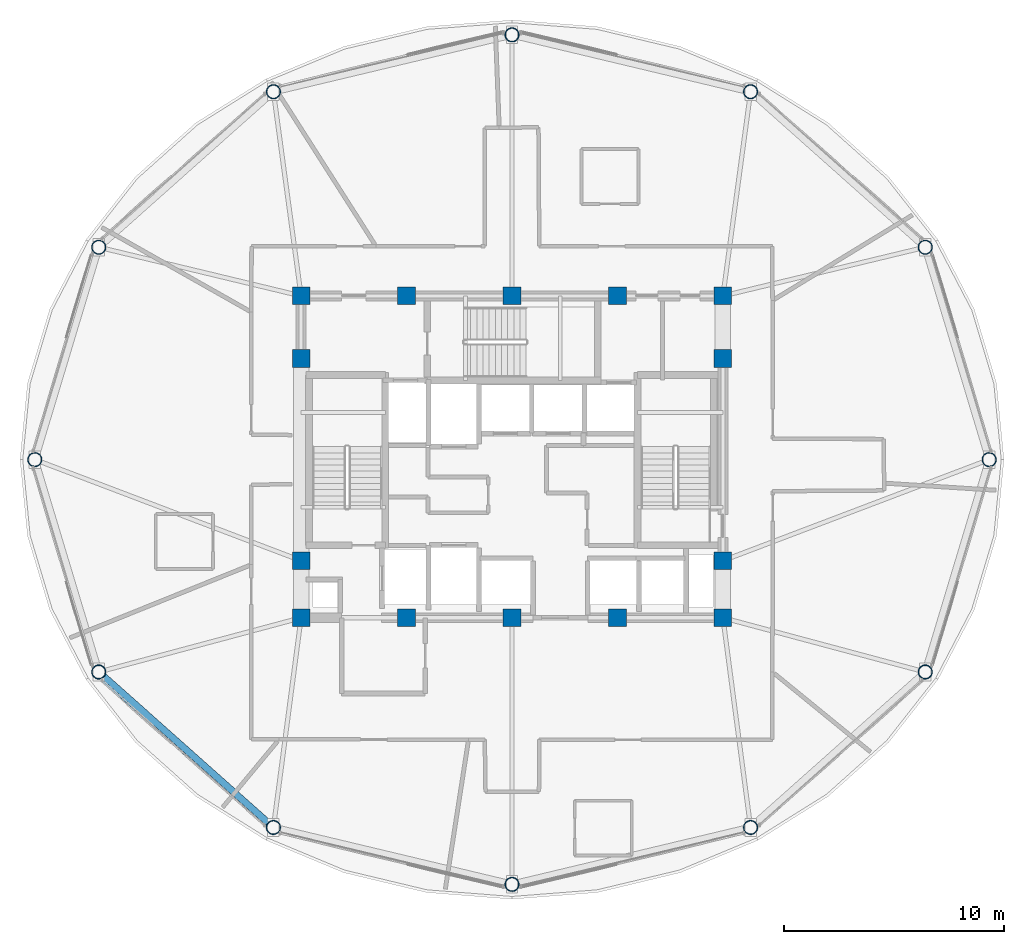
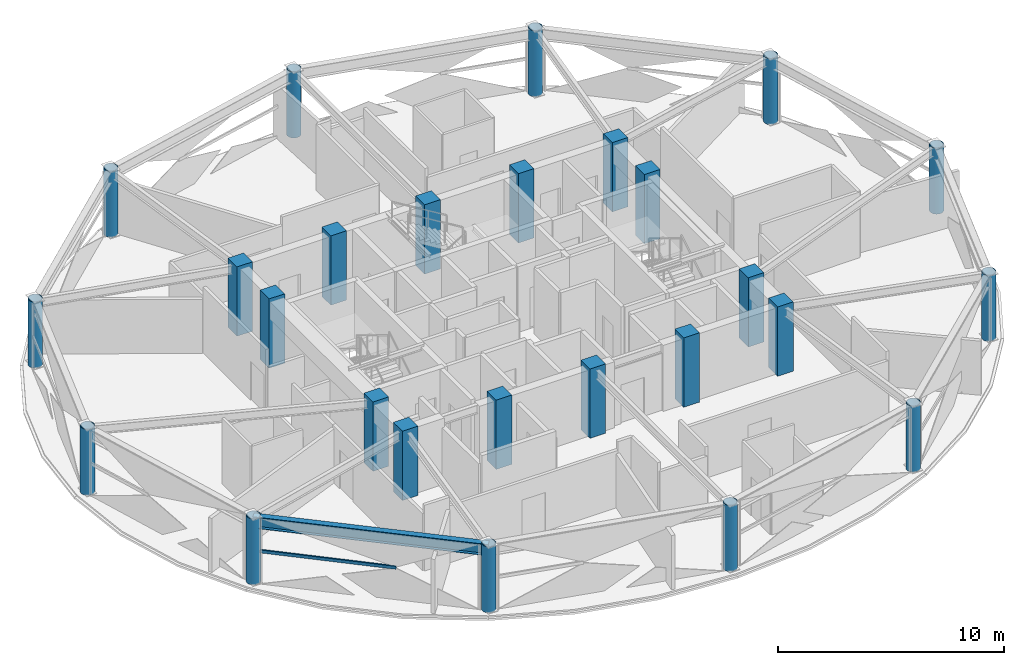
# One storey, part 1 of 28: 26 columns, 1 beam, 1 member, 1 element without a shape of its own.
"""IFC4 building model written with IfcOpenShell, lengths in metres."""

from ifc_helpers import new_model, si_unit, direction, frame, origin, origin_2d, place, context, subcontext, project, spatial, rectangle, hollow_rectangle, hollow_circle, i_section, extrude, material, layer, layer_set, material_profile, profile_set, type_object, element, aggregate, save


model = new_model("IFC4")

# Units and contexts
model_context = context("Model", 3, precision=1e-05, world=origin(), true_north=direction((0.0, 1.0)))
body_context = subcontext(model_context, "Body", "Model", "MODEL_VIEW")
ifc_project = project(units=[si_unit("LENGTHUNIT", "METRE"), si_unit("AREAUNIT", "SQUARE_METRE"), si_unit("VOLUMEUNIT", "CUBIC_METRE"), si_unit("PLANEANGLEUNIT", "RADIAN"), si_unit("MASSUNIT", "GRAM", prefix="KILO")], contexts=[model_context])

# Site, building, storey
site_placement = place(None, origin())
site = spatial("IfcSite", under=ifc_project, at=site_placement, CompositionType="ELEMENT")
building_placement = place(site_placement, origin())
building = spatial("IfcBuilding", under=site, at=building_placement, Name="Vantalir Tower", CompositionType="ELEMENT")
storey_placement = place(building_placement, frame((0.0, 0.0, 246.14990234375)))
storey = spatial("IfcBuildingStorey", under=building, at=storey_placement, Name="L62", CompositionType="ELEMENT", Elevation=246.14990234375)

# Columns
ifc_material_1 = material(Name="Concrete C50/60", Category="concrete")
ifc_material_profile_1 = material_profile(ifc_material_1, rectangle(XDim=0.800048828125, YDim=0.800048828125, at=origin_2d()), Name="Concrete C50/60")
ifc_profile_set_1 = profile_set([ifc_material_profile_1], Name="Concrete C50/60")
column_type_1 = type_object("IfcColumnType", Name="COL-CC-800", PredefinedType="COLUMN", material=ifc_profile_set_1)
for number, where, z_axis, x_axis, name in (
    (1, (21.89990234375, 17.800048828125, 0.0), (0.0, 0.0, 1.0), (1.0, 0.0, 0.0), "L62 Core Column CC01"),
    (2, (26.699951171875, 17.800048828125, 0.0), (0.0, 0.0, 1.0), (1.0, 0.0, 0.0), "L62 Core Column CC02"),
    (3, (31.5, 17.800048828125, 0.0), (0.0, 0.0, 1.0), (1.0, 0.0, 0.0), "L62 Core Column CC03"),
    (4, (36.300048828125, 17.800048828125, 0.0), (0.0, 0.0, 1.0), (1.0, 0.0, 0.0), "L62 Core Column CC04"),
    (5, (41.10009765625, 17.800048828125, 0.0), (0.0, 0.0, 1.0), (1.0, 0.0, 0.0), "L62 Core Column CC05"),
    (6, (21.89990234375, 20.39990234375, 0.0), (0.0, 0.0, 1.0), (1.0, 0.0, 0.0), "L62 Core Column CC06"),
    (7, (21.89990234375, 29.60009765625, 0.0), (0.0, 0.0, 1.0), (1.0, 0.0, 0.0), "L62 Core Column CC07"),
    (8, (41.10009765625, 20.39990234375, 0.0), (0.0, 0.0, 1.0), (1.0, 0.0, 0.0), "L62 Core Column CC08"),
    (9, (41.10009765625, 29.60009765625, 0.0), (0.0, 0.0, 1.0), (1.0, 0.0, 0.0), "L62 Core Column CC09"),
    (10, (21.89990234375, 32.449951171875, 0.0), (0.0, 0.0, 1.0), (1.0, 0.0, 0.0), "L62 Core Column CC10"),
    (11, (26.699951171875, 32.449951171875, 0.0), (0.0, 0.0, 1.0), (1.0, 0.0, 0.0), "L62 Core Column CC11"),
    (12, (31.5, 32.449951171875, 0.0), (0.0, 0.0, 1.0), (1.0, 0.0, 0.0), "L62 Core Column CC12"),
    (13, (36.300048828125, 32.449951171875, 0.0), (0.0, 0.0, 1.0), (1.0, 0.0, 0.0), "L62 Core Column CC13"),
    (14, (41.10009765625, 32.449951171875, 0.0), (0.0, 0.0, 1.0), (1.0, 0.0, 0.0), "L62 Core Column CC14"),
):
    element("IfcColumn", number, at=place(storey_placement, frame(where, z_axis=z_axis, x_axis=x_axis)), inside=storey, type_object=column_type_1, Name=name, PredefinedType="COLUMN", context=body_context, shape_type="SweptSolid", body=[
        extrude(rectangle(XDim=0.800048828125, YDim=0.800048828125, at=origin_2d()), origin(), (0.0, 0.0, 1.0), 3.75),
    ])
ifc_material_2 = material(Name="Steel S460", Category="steel")
ifc_material_profile_2 = material_profile(ifc_material_2, hollow_circle(Radius=0.324951171875, WallThickness=0.030029296875, at=origin_2d()), Name="Steel S460")
ifc_profile_set_2 = profile_set([ifc_material_profile_2], Name="Steel S460")
column_type_2 = type_object("IfcColumnType", Name="COL-RC-650", PredefinedType="COLUMN", material=ifc_profile_set_2)
for number, where, z_axis, x_axis, name in (
    (15, (53.218017578125, 25.0, 0.0), (0.0, 0.0, 1.0), (1.0, 0.0, 0.0), "L62 Perimeter Ring Column RC01"),
    (16, (50.30810546875, 34.666015625, 0.0), (0.0, 0.0, 1.0), (1.0, 0.0, 0.0), "L62 Perimeter Ring Column RC02"),
    (17, (42.35888671875, 41.742919921875, 0.0), (0.0, 0.0, 1.0), (1.0, 0.0, 0.0), "L62 Perimeter Ring Column RC03"),
    (18, (31.5, 44.3330078125, 0.0), (0.0, 0.0, 1.0), (1.0, 0.0, 0.0), "L62 Perimeter Ring Column RC04"),
    (19, (20.64111328125, 41.742919921875, 0.0), (0.0, 0.0, 1.0), (1.0, 0.0, 0.0), "L62 Perimeter Ring Column RC05"),
    (20, (12.69189453125, 34.666015625, 0.0), (0.0, 0.0, 1.0), (1.0, 0.0, 0.0), "L62 Perimeter Ring Column RC06"),
    (21, (9.781982421875, 25.0, 0.0), (0.0, 0.0, 1.0), (1.0, 0.0, 0.0), "L62 Perimeter Ring Column RC07"),
    (22, (12.69189453125, 15.3330078125, 0.0), (0.0, 0.0, 1.0), (1.0, 0.0, 0.0), "L62 Perimeter Ring Column RC08"),
    (23, (20.64111328125, 8.257080078125, 0.0), (0.0, 0.0, 1.0), (1.0, 0.0, 0.0), "L62 Perimeter Ring Column RC09"),
    (24, (31.5, 5.6669921875, 0.0), (0.0, 0.0, 1.0), (1.0, 0.0, 0.0), "L62 Perimeter Ring Column RC10"),
    (25, (42.35888671875, 8.257080078125, 0.0), (0.0, 0.0, 1.0), (1.0, 0.0, 0.0), "L62 Perimeter Ring Column RC11"),
    (26, (50.30810546875, 15.3330078125, 0.0), (0.0, 0.0, 1.0), (1.0, 0.0, 0.0), "L62 Perimeter Ring Column RC12"),
):
    element("IfcColumn", number, at=place(storey_placement, frame(where, z_axis=z_axis, x_axis=x_axis)), inside=storey, type_object=column_type_2, Name=name, PredefinedType="COLUMN", context=body_context, shape_type="SweptSolid", body=[
        extrude(hollow_circle(Radius=0.324951171875, WallThickness=0.030029296875, at=origin_2d()), origin(), (0.0, 0.0, 1.0), 3.570068359375),
    ])

# Beam
ifc_material_profile_3 = material_profile(ifc_material_2, i_section(OverallWidth=0.306884765625, OverallDepth=0.6201171875, WebThickness=0.01416015625, FlangeThickness=0.023681640625, at=origin_2d()), Name="Steel S460")
ifc_profile_set_3 = profile_set([ifc_material_profile_3], Name="Steel S460")
beam_type = type_object("IfcBeamType", Name="BM-RG-610x305", PredefinedType="USERDEFINED", material=ifc_profile_set_3)
beam_placement = place(storey_placement, frame((12.69189453125, 15.3330078125, 3.260009765625), z_axis=(0.746944629215, -0.664886246577, 0.0), x_axis=(0.664886246577, 0.746944629215, 0.0)))
element("IfcBeam", 27, at=beam_placement, inside=storey, type_object=beam_type, Name="L62 Circumferential Ring Girder 08", ObjectType="GIRDER", PredefinedType="USERDEFINED", context=body_context, shape_type="SweptSolid", body=[
    extrude(i_section(OverallWidth=0.306884765625, OverallDepth=0.6201171875, WebThickness=0.01416015625, FlangeThickness=0.023681640625, at=origin_2d()), origin(), (0.0, 0.0, 1.0), 10.642333984375),
])

# Curtain wall, member
ifc_material_3 = material(Name="Champagne-silver PVDF aluminium and double-silver Low-E glass", Category="aluminium")
ifc_layer = layer(ifc_material_3, 0.2099609375)
ifc_layer_set = layer_set([ifc_layer], Name="Champagne-silver PVDF aluminium and double-silver Low-E glass")
curtain_wall_type = type_object("IfcCurtainWallType", Name="CW-DIAMOND-Z3", PredefinedType="USERDEFINED", material=ifc_layer_set)
curtain_wall_placement = place(storey_placement, origin())
curtain_wall = element("IfcCurtainWall", 28, at=curtain_wall_placement, inside=storey, type_object=curtain_wall_type, Name="L62 Quilted Pyramid-Diamond Curtain Wall S08", ObjectType="UNITISED CURTAIN WALL", PredefinedType="USERDEFINED")
ifc_material_4 = material(Name="Champagne-silver PVDF aluminium 6063-T6", Category="aluminium")
ifc_material_profile_4 = material_profile(ifc_material_4, hollow_rectangle(XDim=0.074951171875, YDim=0.159912109375, WallThickness=0.00390625, at=origin_2d()), Name="Champagne-silver PVDF aluminium 6063-T6")
ifc_profile_set_4 = profile_set([ifc_material_profile_4], Name="Champagne-silver PVDF aluminium 6063-T6")
member_type = type_object("IfcMemberType", Name="CWT-160x75", PredefinedType="USERDEFINED", material=ifc_profile_set_4)
member_placement = place(storey_placement, frame((12.8330078125, 14.965087890625, 1.78515625), z_axis=(0.744045891746, -0.668128513817, 0.0), x_axis=(0.668128513817, 0.744045891746, 0.0)))
member = element("IfcMember", 29, at=member_placement, type_object=member_type, Name="CW-L62-S08 Pyramid Fold Ridge Transom", ObjectType="TRANSOM", PredefinedType="USERDEFINED", context=body_context, shape_type="SweptSolid", body=[
    extrude(hollow_rectangle(XDim=0.074951171875, YDim=0.159912109375, WallThickness=0.00390625, at=origin_2d()), origin(), (0.0, 0.0, 1.0), 6.148681640625),
])
aggregate(curtain_wall, [member])

save(model, "model.ifc")
